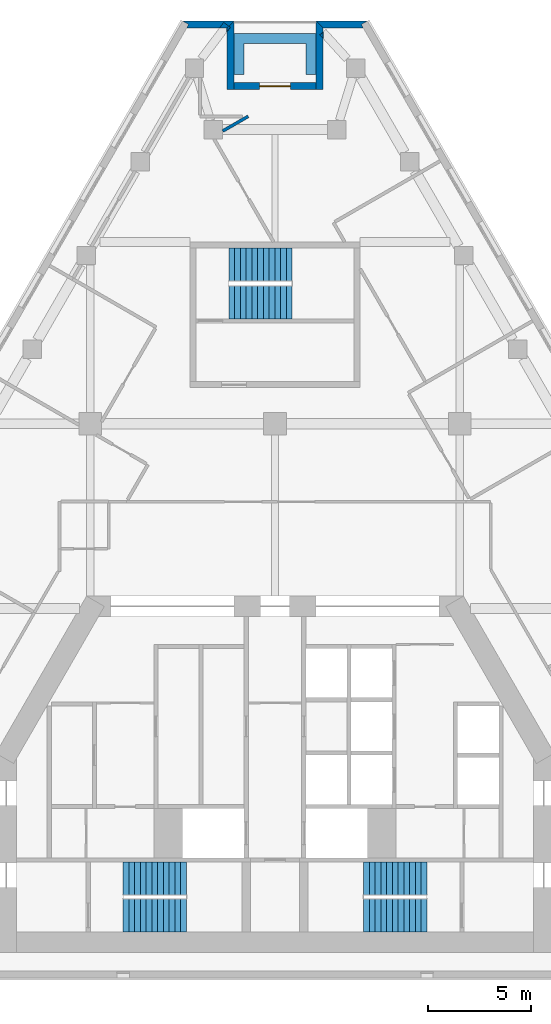
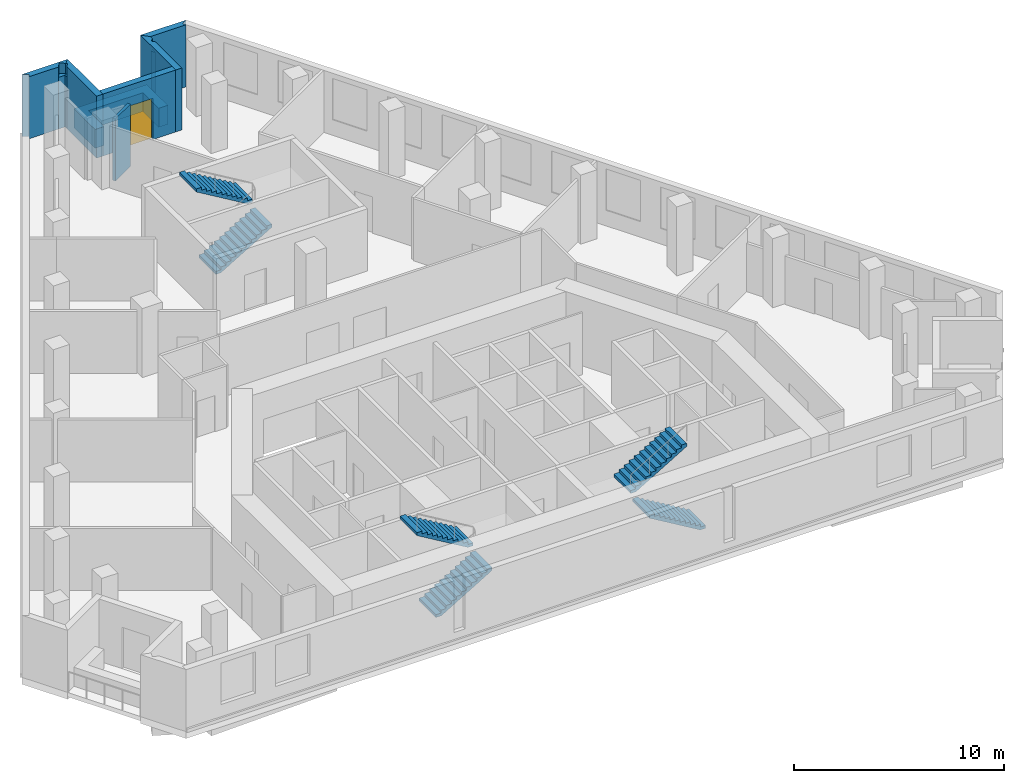
# One storey, part 7 of 8: 10 walls, 6 stair flights, 1 door, 1 opening, 3 elements without a shape of their own.
"""IFC4 building model written with IfcOpenShell, lengths in metres."""

from ifc_helpers import new_model, si_unit, direction, frame, frame_2d, origin, place, context, subcontext, project, spatial, polyline, rectangle, outline, extrude, material, layer, layer_set, type_object, element, fill, aggregate, save


model = new_model("IFC4")

# Units and contexts
model_context = context("Model", 3, precision=1e-05, world=origin(), true_north=direction((0.0, 1.0)))
body_context = subcontext(model_context, "Body", "Model", "MODEL_VIEW")
ifc_project = project(units=[si_unit("LENGTHUNIT", "METRE"), si_unit("AREAUNIT", "SQUARE_METRE"), si_unit("VOLUMEUNIT", "CUBIC_METRE"), si_unit("PLANEANGLEUNIT", "RADIAN"), si_unit("MASSUNIT", "GRAM", prefix="KILO")], contexts=[model_context])

# Site, building, storey
site_placement = place(None, origin())
site = spatial("IfcSite", under=ifc_project, at=site_placement, CompositionType="ELEMENT")
building_placement = place(site_placement, origin())
building = spatial("IfcBuilding", under=site, at=building_placement, Name="Fogline Exchange Tower", CompositionType="ELEMENT")
storey_placement = place(building_placement, frame((0.0, 0.0, 227.5)))
storey = spatial("IfcBuildingStorey", under=building, at=storey_placement, Name="L51", CompositionType="ELEMENT", Elevation=227.5)

# Walls
ifc_material_1 = material(Name="Brick masonry", Category="masonry")
ifc_layer_1 = layer(ifc_material_1, 0.340087890625)
ifc_layer_set_1 = layer_set([ifc_layer_1], Name="FW1")
wall_type_1 = type_object("IfcWallType", Name="FW1", PredefinedType="SOLIDWALL", material=ifc_layer_set_1)
wall_1_placement = place(storey_placement, origin())
element("IfcWall", 1, at=wall_1_placement, inside=storey, type_object=wall_type_1, Name="Brick wall L51 N-c1", PredefinedType="SOLIDWALL", context=body_context, shape_type="SweptSolid", body=[
    extrude(outline(polyline([(1.9990234375, 46.6171875), (4.5009765625, 46.6171875), (4.501220703125, 46.61669921875), (4.206298828125, 46.446533203125), (4.3046875, 46.276123046875), (2.33984375, 46.276123046875), (1.998779296875, 46.616943359375), (1.9990234375, 46.6171875)])), origin(), (0.0, 0.0, 1.0), 3.60009765625),
])
wall_2_placement = place(storey_placement, origin())
element("IfcWall", 2, at=wall_2_placement, inside=storey, type_object=wall_type_1, Name="Brick wall L51 N-s1", PredefinedType="SOLIDWALL", context=body_context, shape_type="SweptSolid", body=[
    extrude(outline(polyline([(2.340576171875, 45.7705078125), (2.188232421875, 45.938232421875), (2.340576171875, 46.07666015625), (2.340576171875, 45.7705078125)])), origin(), (0.0, 0.0, 1.0), 3.0),
])
wall_3_placement = place(storey_placement, origin())
element("IfcWall", 3, at=wall_3_placement, inside=storey, type_object=wall_type_1, Name="Brick wall L51 N-s1", PredefinedType="SOLIDWALL", context=body_context, shape_type="SweptSolid", body=[
    extrude(outline(polyline([(1.99951171875, 43.276123046875), (1.99951171875, 46.61767578125), (1.999755859375, 46.617919921875), (2.340576171875, 46.27685546875), (2.340576171875, 46.07666015625), (2.188232421875, 45.938232421875), (2.340576171875, 45.7705078125), (2.340576171875, 43.276123046875), (1.99951171875, 43.276123046875)])), origin(), (0.0, 0.0, 1.0), 3.60009765625),
])

# Wall, opening, door
wall_4_placement = place(storey_placement, frame((2.0, 43.446533203125, 0.0), z_axis=(0.0, 0.0, 1.0), x_axis=(-1.0, 0.0, 0.0)))
wall_4 = element("IfcWall", 4, at=wall_4_placement, inside=storey, type_object=wall_type_1, Name="Brick wall L51 N-bk", PredefinedType="SOLIDWALL", context=body_context, shape_type="SweptSolid", body=[
    extrude(rectangle(XDim=4.0, YDim=0.340087890625, at=frame_2d((2.0, 0.0))), origin(), (0.0, 0.0, 1.0), 3.60009765625),
])
opening_placement = place(wall_4_placement, frame((1.25, 0.0, 0.0)))
opening = element("IfcOpeningElement", 5, at=opening_placement, cuts=wall_4, Name="Opening T16-E141", PredefinedType="OPENING", context=body_context, shape_type="SweptSolid", body=[
    extrude(rectangle(XDim=1.5, YDim=2.39990234375, at=frame_2d((0.75, 1.199951171875))), frame((0.0, 0.18017578125, 0.0), z_axis=(0.0, -1.0, 0.0), x_axis=(1.0, 0.0, 0.0)), (0.0, 0.0, 1.0), 0.360107421875),
])
ifc_material_2 = material(Name="Aluminium and glass", Category="aluminium")
door_type = type_object("IfcDoorType", Name="ED4", OperationType="SINGLE_SWING_LEFT", PredefinedType="DOOR", material=ifc_material_2)
door_placement = place(opening_placement, frame((1.5, 0.0, 0.0), z_axis=(0.0, 0.0, 1.0), x_axis=(-1.0, 0.0, 0.0)))
door = element("IfcDoor", 6, at=door_placement, inside=storey, type_object=door_type, Name="Balcony door L51 N", OperationType="DOUBLE_DOOR_SINGLE_SWING", OverallHeight=2.39990234375, OverallWidth=1.5, PredefinedType="DOOR", context=body_context, shape_type="SweptSolid", body=[
    extrude(rectangle(XDim=1.5, YDim=2.39990234375, at=frame_2d((0.75, 1.199951171875))), frame((0.0, 0.02490234375, 0.0), z_axis=(0.0, -1.0, 0.0), x_axis=(1.0, 0.0, 0.0)), (0.0, 0.0, 1.0), 0.050048828125),
])
fill(opening, door)

# Walls
wall_5_placement = place(storey_placement, origin())
element("IfcWall", 7, at=wall_5_placement, inside=storey, type_object=wall_type_1, Name="Brick wall L51 N-s2", PredefinedType="SOLIDWALL", context=body_context, shape_type="SweptSolid", body=[
    extrude(outline(polyline([(-2.340576171875, 46.27685546875), (-2.251953125, 46.365478515625), (-2.18017578125, 46.3115234375), (-2.340576171875, 46.09814453125), (-2.340576171875, 46.27685546875)])), origin(), (0.0, 0.0, 1.0), 3.0),
])
wall_6_placement = place(storey_placement, origin())
element("IfcWall", 8, at=wall_6_placement, inside=storey, type_object=wall_type_1, Name="Brick wall L51 N-s2", PredefinedType="SOLIDWALL", context=body_context, shape_type="SweptSolid", body=[
    extrude(outline(polyline([(-1.99951171875, 43.276123046875), (-2.340576171875, 43.276123046875), (-2.340576171875, 46.09814453125), (-2.18017578125, 46.3115234375), (-2.251953125, 46.365478515625), (-1.999755859375, 46.617919921875), (-1.99951171875, 46.61767578125), (-1.99951171875, 43.276123046875)])), origin(), (0.0, 0.0, 1.0), 3.60009765625),
])
wall_7_placement = place(storey_placement, origin())
element("IfcWall", 9, at=wall_7_placement, inside=storey, type_object=wall_type_1, Name="Brick wall L51 N-c2", PredefinedType="SOLIDWALL", context=body_context, shape_type="SweptSolid", body=[
    extrude(outline(polyline([(-2.33984375, 46.276123046875), (-2.707275390625, 46.276123046875), (-2.499755859375, 46.552001953125), (-2.2509765625, 46.36474609375), (-2.33984375, 46.276123046875)])), origin(), (0.0, 0.0, 1.0), 3.0),
])
wall_8_placement = place(storey_placement, origin())
element("IfcWall", 10, at=wall_8_placement, inside=storey, type_object=wall_type_1, Name="Brick wall L51 N-c2", PredefinedType="SOLIDWALL", context=body_context, shape_type="SweptSolid", body=[
    extrude(outline(polyline([(-4.206298828125, 46.446533203125), (-4.501220703125, 46.61669921875), (-4.5009765625, 46.6171875), (-1.9990234375, 46.6171875), (-1.998779296875, 46.616943359375), (-2.2509765625, 46.36474609375), (-2.499755859375, 46.552001953125), (-2.707275390625, 46.276123046875), (-4.3046875, 46.276123046875), (-4.206298828125, 46.446533203125)])), origin(), (0.0, 0.0, 1.0), 3.60009765625),
])
ifc_material_3 = material(Name="Concrete C30", Category="concrete")
ifc_layer_2 = layer(ifc_material_3, 0.199951171875)
ifc_layer_set_2 = layer_set([ifc_layer_2], Name="PL1")
wall_type_2 = type_object("IfcWallType", Name="PL1", PredefinedType="USERDEFINED", material=ifc_layer_set_2)
wall_9_placement = place(storey_placement, origin())
element("IfcWall", 11, at=wall_9_placement, inside=storey, type_object=wall_type_2, Name="PLANTER balcony L51 N", ObjectType="PLANTER", PredefinedType="USERDEFINED", context=body_context, shape_type="SweptSolid", body=[
    extrude(outline(polyline([(-1.5, 46.0166015625), (-2.0, 46.0166015625), (-2.0, 45.5166015625), (-2.0, 44.0166015625), (-1.5, 44.0166015625), (-1.5, 45.5166015625), (1.5, 45.5166015625), (1.5, 44.0166015625), (2.0, 44.0166015625), (2.0, 45.5166015625), (2.0, 46.0166015625), (1.5, 46.0166015625), (-1.5, 46.0166015625)])), origin(), (0.0, 0.0, 1.0), 1.10009765625),
])
ifc_material_4 = material(Name="Plasterboard demising partition with mineral wool and acoustic board")
ifc_layer_3 = layer(ifc_material_4, 0.14990234375)
ifc_layer_set_3 = layer_set([ifc_layer_3], Name="PW3")
wall_type_3 = type_object("IfcWallType", Name="PW3", PredefinedType="PARTITIONING", material=ifc_layer_set_3)
wall_10_placement = place(storey_placement, frame((-2.550048828125, 41.255126953125, 0.0), z_axis=(0.0, 0.0, 1.0), x_axis=(0.866001162221, 0.500041985268, 0.0)))
element("IfcWall", 12, at=wall_10_placement, inside=storey, type_object=wall_type_3, Name="wall-L51-W028", PredefinedType="PARTITIONING", context=body_context, shape_type="SweptSolid", body=[
    extrude(rectangle(XDim=1.43310546875, YDim=0.14990234375, at=frame_2d((0.716552734375, 0.0))), origin(), (0.0, 0.0, 1.0), 3.60009765625),
])

# Stair, stair flights
ifc_material_5 = material(Name="Concrete C40", Category="concrete")
stair_type = type_object("IfcStairType", Name="STR24-1667", PredefinedType="HALF_TURN_STAIR", material=ifc_material_5)
stair_1_placement = place(storey_placement, origin())
stair_1 = element("IfcStair", 13, at=stair_1_placement, inside=storey, type_object=stair_type, Name="Stair ST1", PredefinedType="HALF_TURN_STAIR")
stair_flight_type = type_object("IfcStairFlightType", Name="SF12-1667", PredefinedType="STRAIGHT", material=ifc_material_5)
stair_flight_1_placement = place(storey_placement, frame((-7.39990234375, 3.050048828125, 0.0), z_axis=(0.0, 0.0, 1.0), x_axis=(1.0, 0.0, 0.0)))
stair_flight_1 = element("IfcStairFlight", 14, at=stair_flight_1_placement, type_object=stair_flight_type, Name="ST1 flight 1", NumberOfRisers=12, NumberOfTreads=11, PredefinedType="STRAIGHT", RiserHeight=0.166666667, TreadLength=0.28, context=body_context, shape_type="SweptSolid", body=[
    extrude(outline(polyline([(0.0, 0.0), (0.0, 0.166748046875), (0.280029296875, 0.166748046875), (0.280029296875, 0.333251953125), (0.56005859375, 0.333251953125), (0.56005859375, 0.5), (0.840087890625, 0.5), (0.840087890625, 0.666748046875), (1.1201171875, 0.666748046875), (1.1201171875, 0.833251953125), (1.39990234375, 0.833251953125), (1.39990234375, 1.0), (1.679931640625, 1.0), (1.679931640625, 1.166748046875), (1.9599609375, 1.166748046875), (1.9599609375, 1.333251953125), (2.239990234375, 1.333251953125), (2.239990234375, 1.5), (2.52001953125, 1.5), (2.52001953125, 1.666748046875), (2.800048828125, 1.666748046875), (2.800048828125, 1.833251953125), (3.080078125, 1.833251953125), (3.080078125, 2.0), (3.080078125, 1.658935546875), (0.29296875, 0.0), (0.0, 0.0)])), frame((0.0, 0.800048828125, 0.0), z_axis=(0.0, -1.0, 0.0), x_axis=(1.0, 0.0, 0.0)), (0.0, 0.0, 1.0), 1.60009765625),
])
stair_flight_2_placement = place(storey_placement, frame((-4.320068359375, 4.85009765625, 2.0), z_axis=(0.0, 0.0, 1.0), x_axis=(-1.0, 0.0, 0.0)))
stair_flight_2 = element("IfcStairFlight", 15, at=stair_flight_2_placement, type_object=stair_flight_type, Name="ST1 flight 2", NumberOfRisers=12, NumberOfTreads=11, PredefinedType="STRAIGHT", RiserHeight=0.166666667, TreadLength=0.28, context=body_context, shape_type="SweptSolid", body=[
    extrude(outline(polyline([(0.0, 0.0), (0.0, 0.166748046875), (0.280029296875, 0.166748046875), (0.280029296875, 0.333251953125), (0.56005859375, 0.333251953125), (0.56005859375, 0.5), (0.840087890625, 0.5), (0.840087890625, 0.666748046875), (1.1201171875, 0.666748046875), (1.1201171875, 0.833251953125), (1.39990234375, 0.833251953125), (1.39990234375, 1.0), (1.679931640625, 1.0), (1.679931640625, 1.166748046875), (1.9599609375, 1.166748046875), (1.9599609375, 1.333251953125), (2.239990234375, 1.333251953125), (2.239990234375, 1.5), (2.52001953125, 1.5), (2.52001953125, 1.666748046875), (2.800048828125, 1.666748046875), (2.800048828125, 1.833251953125), (3.080078125, 1.833251953125), (3.080078125, 2.0), (3.080078125, 1.658935546875), (0.29296875, 0.0), (0.0, 0.0)])), frame((0.0, 0.800048828125, 0.0), z_axis=(0.0, -1.0, 0.0), x_axis=(1.0, 0.0, 0.0)), (0.0, 0.0, 1.0), 1.60009765625),
])
aggregate(stair_1, [stair_flight_1, stair_flight_2])

stair_2_placement = place(storey_placement, origin())
stair_2 = element("IfcStair", 16, at=stair_2_placement, inside=storey, type_object=stair_type, Name="Stair ST2", PredefinedType="HALF_TURN_STAIR")
stair_flight_3_placement = place(storey_placement, frame((7.39990234375, 3.050048828125, 0.0), z_axis=(0.0, 0.0, 1.0), x_axis=(-1.0, 0.0, 0.0)))
stair_flight_3 = element("IfcStairFlight", 17, at=stair_flight_3_placement, type_object=stair_flight_type, Name="ST2 flight 1", NumberOfRisers=12, NumberOfTreads=11, PredefinedType="STRAIGHT", RiserHeight=0.166666667, TreadLength=0.28, context=body_context, shape_type="SweptSolid", body=[
    extrude(outline(polyline([(0.0, 0.0), (0.0, 0.166748046875), (0.280029296875, 0.166748046875), (0.280029296875, 0.333251953125), (0.56005859375, 0.333251953125), (0.56005859375, 0.5), (0.840087890625, 0.5), (0.840087890625, 0.666748046875), (1.1201171875, 0.666748046875), (1.1201171875, 0.833251953125), (1.39990234375, 0.833251953125), (1.39990234375, 1.0), (1.679931640625, 1.0), (1.679931640625, 1.166748046875), (1.9599609375, 1.166748046875), (1.9599609375, 1.333251953125), (2.239990234375, 1.333251953125), (2.239990234375, 1.5), (2.52001953125, 1.5), (2.52001953125, 1.666748046875), (2.800048828125, 1.666748046875), (2.800048828125, 1.833251953125), (3.080078125, 1.833251953125), (3.080078125, 2.0), (3.080078125, 1.658935546875), (0.29296875, 0.0), (0.0, 0.0)])), frame((0.0, 0.800048828125, 0.0), z_axis=(0.0, -1.0, 0.0), x_axis=(1.0, 0.0, 0.0)), (0.0, 0.0, 1.0), 1.60009765625),
])
stair_flight_4_placement = place(storey_placement, frame((4.320068359375, 4.85009765625, 2.0), z_axis=(0.0, 0.0, 1.0), x_axis=(1.0, 0.0, 0.0)))
stair_flight_4 = element("IfcStairFlight", 18, at=stair_flight_4_placement, type_object=stair_flight_type, Name="ST2 flight 2", NumberOfRisers=12, NumberOfTreads=11, PredefinedType="STRAIGHT", RiserHeight=0.166666667, TreadLength=0.28, context=body_context, shape_type="SweptSolid", body=[
    extrude(outline(polyline([(0.0, 0.0), (0.0, 0.166748046875), (0.280029296875, 0.166748046875), (0.280029296875, 0.333251953125), (0.56005859375, 0.333251953125), (0.56005859375, 0.5), (0.840087890625, 0.5), (0.840087890625, 0.666748046875), (1.1201171875, 0.666748046875), (1.1201171875, 0.833251953125), (1.39990234375, 0.833251953125), (1.39990234375, 1.0), (1.679931640625, 1.0), (1.679931640625, 1.166748046875), (1.9599609375, 1.166748046875), (1.9599609375, 1.333251953125), (2.239990234375, 1.333251953125), (2.239990234375, 1.5), (2.52001953125, 1.5), (2.52001953125, 1.666748046875), (2.800048828125, 1.666748046875), (2.800048828125, 1.833251953125), (3.080078125, 1.833251953125), (3.080078125, 2.0), (3.080078125, 1.658935546875), (0.29296875, 0.0), (0.0, 0.0)])), frame((0.0, 0.800048828125, 0.0), z_axis=(0.0, -1.0, 0.0), x_axis=(1.0, 0.0, 0.0)), (0.0, 0.0, 1.0), 1.60009765625),
])
aggregate(stair_2, [stair_flight_3, stair_flight_4])

stair_3_placement = place(storey_placement, origin())
stair_3 = element("IfcStair", 19, at=stair_3_placement, inside=storey, type_object=stair_type, Name="Stair ST3", PredefinedType="HALF_TURN_STAIR")
stair_flight_5_placement = place(storey_placement, frame((-2.25, 32.906982421875, 0.0), z_axis=(0.0, 0.0, 1.0), x_axis=(1.0, 0.0, 0.0)))
stair_flight_5 = element("IfcStairFlight", 20, at=stair_flight_5_placement, type_object=stair_flight_type, Name="ST3 flight 1", NumberOfRisers=12, NumberOfTreads=11, PredefinedType="STRAIGHT", RiserHeight=0.166666667, TreadLength=0.28, context=body_context, shape_type="SweptSolid", body=[
    extrude(outline(polyline([(0.0, 0.0), (0.0, 0.166748046875), (0.280029296875, 0.166748046875), (0.280029296875, 0.333251953125), (0.56005859375, 0.333251953125), (0.56005859375, 0.5), (0.840087890625, 0.5), (0.840087890625, 0.666748046875), (1.1201171875, 0.666748046875), (1.1201171875, 0.833251953125), (1.39990234375, 0.833251953125), (1.39990234375, 1.0), (1.679931640625, 1.0), (1.679931640625, 1.166748046875), (1.9599609375, 1.166748046875), (1.9599609375, 1.333251953125), (2.239990234375, 1.333251953125), (2.239990234375, 1.5), (2.52001953125, 1.5), (2.52001953125, 1.666748046875), (2.800048828125, 1.666748046875), (2.800048828125, 1.833251953125), (3.080078125, 1.833251953125), (3.080078125, 2.0), (3.080078125, 1.658935546875), (0.29296875, 0.0), (0.0, 0.0)])), frame((0.0, 0.800048828125, 0.0), z_axis=(0.0, -1.0, 0.0), x_axis=(1.0, 0.0, 0.0)), (0.0, 0.0, 1.0), 1.60009765625),
])
stair_flight_6_placement = place(storey_placement, frame((0.830078125, 34.757080078125, 2.0), z_axis=(0.0, 0.0, 1.0), x_axis=(-1.0, 0.0, 0.0)))
stair_flight_6 = element("IfcStairFlight", 21, at=stair_flight_6_placement, type_object=stair_flight_type, Name="ST3 flight 2", NumberOfRisers=12, NumberOfTreads=11, PredefinedType="STRAIGHT", RiserHeight=0.166666667, TreadLength=0.28, context=body_context, shape_type="SweptSolid", body=[
    extrude(outline(polyline([(0.0, 0.0), (0.0, 0.166748046875), (0.280029296875, 0.166748046875), (0.280029296875, 0.333251953125), (0.56005859375, 0.333251953125), (0.56005859375, 0.5), (0.840087890625, 0.5), (0.840087890625, 0.666748046875), (1.1201171875, 0.666748046875), (1.1201171875, 0.833251953125), (1.39990234375, 0.833251953125), (1.39990234375, 1.0), (1.679931640625, 1.0), (1.679931640625, 1.166748046875), (1.9599609375, 1.166748046875), (1.9599609375, 1.333251953125), (2.239990234375, 1.333251953125), (2.239990234375, 1.5), (2.52001953125, 1.5), (2.52001953125, 1.666748046875), (2.800048828125, 1.666748046875), (2.800048828125, 1.833251953125), (3.080078125, 1.833251953125), (3.080078125, 2.0), (3.080078125, 1.658935546875), (0.29296875, 0.0), (0.0, 0.0)])), frame((0.0, 0.800048828125, 0.0), z_axis=(0.0, -1.0, 0.0), x_axis=(1.0, 0.0, 0.0)), (0.0, 0.0, 1.0), 1.60009765625),
])
aggregate(stair_3, [stair_flight_5, stair_flight_6])

save(model, "model.ifc")
